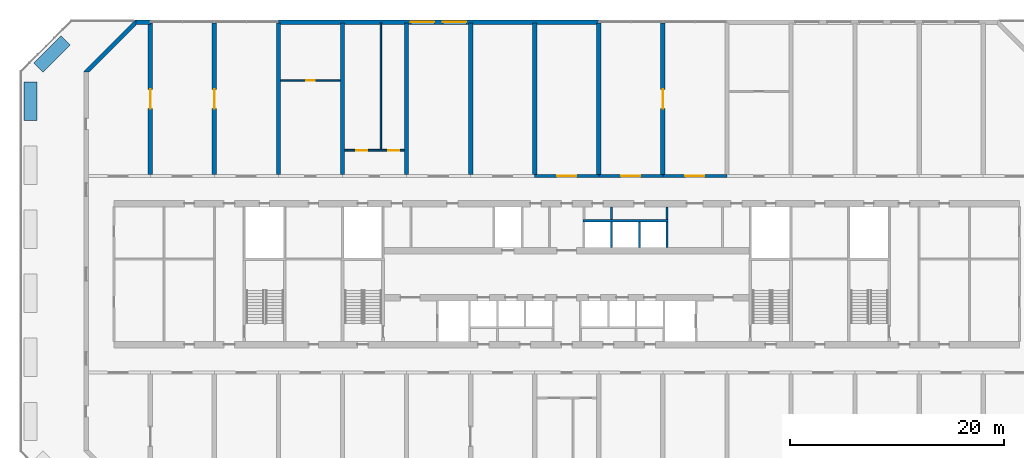
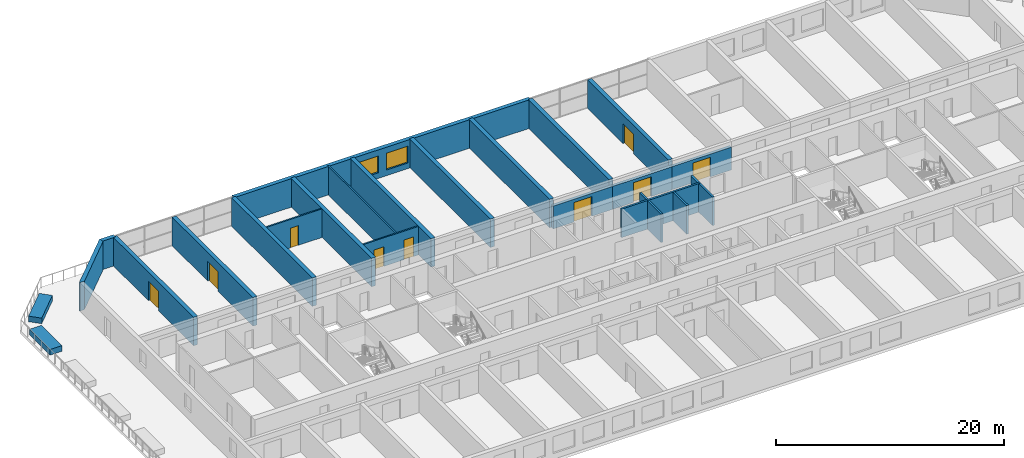
# One storey, part 14 of 21: 26 walls, 9 doors, 2 windows, 11 openings.
"""IFC4 building model written with IfcOpenShell, lengths in metres."""

from ifc_helpers import new_model, si_unit, direction, frame, frame_2d, origin, place, context, subcontext, project, spatial, polyline, rectangle, outline, extrude, source, transform, mapped, material, layer, layer_set, type_object, element, fill, save


model = new_model("IFC4")

# Units and contexts
model_context = context("Model", 3, precision=1e-05, world=origin(), true_north=direction((0.0, 1.0)))
body_context = subcontext(model_context, "Body", "Model", "MODEL_VIEW")
ifc_project = project(units=[si_unit("LENGTHUNIT", "METRE"), si_unit("AREAUNIT", "SQUARE_METRE"), si_unit("VOLUMEUNIT", "CUBIC_METRE"), si_unit("PLANEANGLEUNIT", "RADIAN"), si_unit("MASSUNIT", "GRAM", prefix="KILO")], contexts=[model_context])

# Site, building, storey
site_placement = place(None, origin())
site = spatial("IfcSite", under=ifc_project, at=site_placement, CompositionType="ELEMENT")
building_placement = place(site_placement, origin())
building = spatial("IfcBuilding", under=site, at=building_placement, Name="Poui Terraces", CompositionType="ELEMENT")
storey_placement = place(building_placement, frame((0.0, 0.0, 53.10009765625)))
storey = spatial("IfcBuildingStorey", under=building, at=storey_placement, Name="L14", CompositionType="ELEMENT", Elevation=53.10009765625)

# Wall, openings, doors
ifc_material_1 = material(Name="Fire-rated plasterboard wall")
ifc_layer_1 = layer(ifc_material_1, 0.14990234375)
ifc_layer_set_1 = layer_set([ifc_layer_1], Name="Fire-rated plasterboard wall")
wall_type_1 = type_object("IfcWallType", Name="CORRIDOR WALL 150", PredefinedType="PARTITIONING", material=ifc_layer_set_1)
wall_1_placement = place(storey_placement, frame((30.2099609375, 32.800048828125, 0.0), z_axis=(0.0, 0.0, 1.0), x_axis=(1.0, 0.0, 0.0)))
wall_1 = element("IfcWall", 1, at=wall_1_placement, inside=storey, type_object=wall_type_1, Name="CORRIDOR WALL 150", PredefinedType="PARTITIONING", context=body_context, shape_type="SweptSolid", body=[
    extrude(rectangle(XDim=5.580078125, YDim=0.14990234375, at=frame_2d((2.7900390625, 0.0))), origin(), (0.0, 0.0, 1.0), 3.0498046875),
])
opening_1_placement = place(wall_1_placement, frame((1.090087890625, 0.0, 0.0)))
opening_1 = element("IfcOpeningElement", 2, at=opening_1_placement, cuts=wall_1, Name="Opening D100", PredefinedType="OPENING", context=body_context, shape_type="SweptSolid", body=[
    extrude(rectangle(XDim=1.0, YDim=2.10009765625, at=frame_2d((0.5, 1.050048828125))), frame((0.0, 0.0849609375, 0.0), z_axis=(0.0, -1.0, 0.0), x_axis=(1.0, 0.0, 0.0)), (0.0, 0.0, 1.0), 0.169921875),
])
opening_2_placement = place(wall_1_placement, frame((4.090087890625, 0.0, 0.0)))
opening_2 = element("IfcOpeningElement", 3, at=opening_2_placement, cuts=wall_1, Name="Opening D100", PredefinedType="OPENING", context=body_context, shape_type="SweptSolid", body=[
    extrude(rectangle(XDim=1.0, YDim=2.10009765625, at=frame_2d((0.5, 1.050048828125))), frame((0.0, 0.0849609375, 0.0), z_axis=(0.0, -1.0, 0.0), x_axis=(1.0, 0.0, 0.0)), (0.0, 0.0, 1.0), 0.169921875),
])
ifc_material_2 = material(Name="Solid core timber door", Category="wood")
door_type_1 = type_object("IfcDoorType", Name="ACCESSIBLE INTERNAL DOOR 1000 X 2100", OperationType="NOTDEFINED", PredefinedType="DOOR", material=ifc_material_2)
door_1_placement = place(opening_1_placement, frame((1.0, 0.0, 0.0), z_axis=(0.0, 0.0, 1.0), x_axis=(-1.0, 0.0, 0.0)))
door_1 = element("IfcDoor", 4, at=door_1_placement, inside=storey, type_object=door_type_1, Name="ACCESSIBLE INTERNAL DOOR 070", OperationType="SINGLE_SWING_LEFT", OverallHeight=2.10009765625, OverallWidth=1.0, PredefinedType="DOOR", context=body_context, shape_type="SweptSolid", body=[
    extrude(rectangle(XDim=1.0, YDim=2.10009765625, at=frame_2d((0.5, 1.050048828125))), frame((0.0, 0.02490234375, 0.0), z_axis=(0.0, -1.0, 0.0), x_axis=(1.0, 0.0, 0.0)), (0.0, 0.0, 1.0), 0.050048828125),
])
fill(opening_1, door_1)
door_2_placement = place(opening_2_placement, frame((1.0, 0.0, 0.0), z_axis=(0.0, 0.0, 1.0), x_axis=(-1.0, 0.0, 0.0)))
door_2 = element("IfcDoor", 5, at=door_2_placement, inside=storey, type_object=door_type_1, Name="ACCESSIBLE INTERNAL DOOR 071", OperationType="SINGLE_SWING_RIGHT", OverallHeight=2.10009765625, OverallWidth=1.0, PredefinedType="DOOR", context=body_context, shape_type="SweptSolid", body=[
    extrude(rectangle(XDim=1.0, YDim=2.10009765625, at=frame_2d((0.5, 1.050048828125))), frame((0.0, 0.02490234375, 0.0), z_axis=(0.0, -1.0, 0.0), x_axis=(1.0, 0.0, 0.0)), (0.0, 0.0, 1.0), 0.050048828125),
])
fill(opening_2, door_2)

# Wall, opening, door
ifc_material_3 = material(Name="Concrete 80 MPa", Category="concrete")
ifc_layer_2 = layer(ifc_material_3, 0.300048828125)
ifc_layer_set_2 = layer_set([ifc_layer_2], Name="Concrete 80 MPa")
wall_type_2 = type_object("IfcWallType", Name="CORRIDOR WALL 300 80MPa", PredefinedType="SHEAR", material=ifc_layer_set_2)
wall_2_placement = place(storey_placement, frame((48.0, 30.39990234375, 0.0), z_axis=(0.0, 0.0, 1.0), x_axis=(1.0, 0.0, 0.0)))
wall_2 = element("IfcWall", 6, at=wall_2_placement, inside=storey, type_object=wall_type_2, Name="CORRIDOR WALL LINE E BAY 8", PredefinedType="SHEAR", context=body_context, shape_type="SweptSolid", body=[
    extrude(rectangle(XDim=6.0, YDim=0.300048828125, at=frame_2d((3.0, 0.0))), origin(), (0.0, 0.0, 1.0), 2.449951171875),
])
opening_3_placement = place(wall_2_placement, frame((2.10009765625, 0.0, 0.0)))
opening_3 = element("IfcOpeningElement", 7, at=opening_3_placement, cuts=wall_2, Name="Opening DD180", PredefinedType="OPENING", context=body_context, shape_type="SweptSolid", body=[
    extrude(rectangle(XDim=1.800048828125, YDim=2.10009765625, at=frame_2d((0.89990234375, 1.050048828125))), frame((0.0, 0.16015625, 0.0), z_axis=(0.0, -1.0, 0.0), x_axis=(1.0, 0.0, 0.0)), (0.0, 0.0, 1.0), 0.320068359375),
])
ifc_material_4 = material(Name="Steel fire door", Category="steel")
door_type_2 = type_object("IfcDoorType", Name="DOUBLE INTERNAL DOOR 1800 X 2100", OperationType="DOUBLE_DOOR_SINGLE_SWING", PredefinedType="DOOR", material=ifc_material_4)
door_3_placement = place(opening_3_placement, frame((1.800048828125, 0.0, 0.0), z_axis=(0.0, 0.0, 1.0), x_axis=(-1.0, 0.0, 0.0)))
door_3 = element("IfcDoor", 8, at=door_3_placement, inside=storey, type_object=door_type_2, Name="DOUBLE INTERNAL DOOR 019", OperationType="DOUBLE_DOOR_SINGLE_SWING", OverallHeight=2.10009765625, OverallWidth=1.800048828125, PredefinedType="DOOR", context=body_context, shape_type="SweptSolid", body=[
    extrude(rectangle(XDim=1.800048828125, YDim=2.10009765625, at=frame_2d((0.89990234375, 1.050048828125))), frame((0.0, 0.02490234375, 0.0), z_axis=(0.0, -1.0, 0.0), x_axis=(1.0, 0.0, 0.0)), (0.0, 0.0, 1.0), 0.050048828125),
])
fill(opening_3, door_3)

wall_3_placement = place(storey_placement, frame((54.0, 30.39990234375, 0.0), z_axis=(0.0, 0.0, 1.0), x_axis=(1.0, 0.0, 0.0)))
wall_3 = element("IfcWall", 9, at=wall_3_placement, inside=storey, type_object=wall_type_2, Name="CORRIDOR WALL LINE E BAY 9", PredefinedType="SHEAR", context=body_context, shape_type="SweptSolid", body=[
    extrude(rectangle(XDim=6.0, YDim=0.300048828125, at=frame_2d((3.0, 0.0))), origin(), (0.0, 0.0, 1.0), 2.449951171875),
])
opening_4_placement = place(wall_3_placement, frame((2.10009765625, 0.0, 0.0)))
opening_4 = element("IfcOpeningElement", 10, at=opening_4_placement, cuts=wall_3, Name="Opening DD180", PredefinedType="OPENING", context=body_context, shape_type="SweptSolid", body=[
    extrude(rectangle(XDim=1.800048828125, YDim=2.10009765625, at=frame_2d((0.89990234375, 1.050048828125))), frame((0.0, 0.16015625, 0.0), z_axis=(0.0, -1.0, 0.0), x_axis=(1.0, 0.0, 0.0)), (0.0, 0.0, 1.0), 0.320068359375),
])
door_4_placement = place(opening_4_placement, frame((1.800048828125, 0.0, 0.0), z_axis=(0.0, 0.0, 1.0), x_axis=(-1.0, 0.0, 0.0)))
door_4 = element("IfcDoor", 11, at=door_4_placement, inside=storey, type_object=door_type_2, Name="DOUBLE INTERNAL DOOR 021", OperationType="DOUBLE_DOOR_SINGLE_SWING", OverallHeight=2.10009765625, OverallWidth=1.800048828125, PredefinedType="DOOR", context=body_context, shape_type="SweptSolid", body=[
    extrude(rectangle(XDim=1.800048828125, YDim=2.10009765625, at=frame_2d((0.89990234375, 1.050048828125))), frame((0.0, 0.02490234375, 0.0), z_axis=(0.0, -1.0, 0.0), x_axis=(1.0, 0.0, 0.0)), (0.0, 0.0, 1.0), 0.050048828125),
])
fill(opening_4, door_4)

wall_4_placement = place(storey_placement, frame((60.0, 30.39990234375, 0.0), z_axis=(0.0, 0.0, 1.0), x_axis=(1.0, 0.0, 0.0)))
wall_4 = element("IfcWall", 12, at=wall_4_placement, inside=storey, type_object=wall_type_2, Name="CORRIDOR WALL LINE E BAY 10", PredefinedType="SHEAR", context=body_context, shape_type="SweptSolid", body=[
    extrude(rectangle(XDim=6.0, YDim=0.300048828125, at=frame_2d((3.0, 0.0))), origin(), (0.0, 0.0, 1.0), 2.449951171875),
])
opening_5_placement = place(wall_4_placement, frame((2.10009765625, 0.0, 0.0)))
opening_5 = element("IfcOpeningElement", 13, at=opening_5_placement, cuts=wall_4, Name="Opening DD180", PredefinedType="OPENING", context=body_context, shape_type="SweptSolid", body=[
    extrude(rectangle(XDim=1.800048828125, YDim=2.10009765625, at=frame_2d((0.89990234375, 1.050048828125))), frame((0.0, 0.16015625, 0.0), z_axis=(0.0, -1.0, 0.0), x_axis=(1.0, 0.0, 0.0)), (0.0, 0.0, 1.0), 0.320068359375),
])
door_5_placement = place(opening_5_placement, frame((1.800048828125, 0.0, 0.0), z_axis=(0.0, 0.0, 1.0), x_axis=(-1.0, 0.0, 0.0)))
door_5 = element("IfcDoor", 14, at=door_5_placement, inside=storey, type_object=door_type_2, Name="DOUBLE INTERNAL DOOR 024", OperationType="DOUBLE_DOOR_SINGLE_SWING", OverallHeight=2.10009765625, OverallWidth=1.800048828125, PredefinedType="DOOR", context=body_context, shape_type="SweptSolid", body=[
    extrude(rectangle(XDim=1.800048828125, YDim=2.10009765625, at=frame_2d((0.89990234375, 1.050048828125))), frame((0.0, 0.02490234375, 0.0), z_axis=(0.0, -1.0, 0.0), x_axis=(1.0, 0.0, 0.0)), (0.0, 0.0, 1.0), 0.050048828125),
])
fill(opening_5, door_5)

ifc_layer_3 = layer(ifc_material_3, 0.39990234375)
ifc_layer_set_3 = layer_set([ifc_layer_3], Name="Concrete 80 MPa")
wall_type_3 = type_object("IfcWallType", Name="CROSS WALL 400 80MPa", PredefinedType="SHEAR", material=ifc_layer_set_3)
wall_5_placement = place(storey_placement, frame((12.0, 30.550048828125, 0.0), z_axis=(0.0, 0.0, 1.0), x_axis=(0.0, 1.0, 0.0)))
wall_5 = element("IfcWall", 15, at=wall_5_placement, inside=storey, type_object=wall_type_3, Name="CROSS WALL LINE 3 NORTH", PredefinedType="SHEAR", context=body_context, shape_type="SweptSolid", body=[
    extrude(rectangle(XDim=14.175048828125, YDim=0.39990234375, at=frame_2d((7.08740234375, 0.0))), origin(), (0.0, 0.0, 1.0), 3.0498046875),
])
opening_6_placement = place(wall_5_placement, frame((6.14990234375, 0.0, 0.0)))
opening_6 = element("IfcOpeningElement", 16, at=opening_6_placement, cuts=wall_5, Name="Opening DD180", PredefinedType="OPENING", context=body_context, shape_type="SweptSolid", body=[
    extrude(rectangle(XDim=1.800048828125, YDim=2.10009765625, at=frame_2d((0.89990234375, 1.050048828125))), frame((0.0, 0.2099609375, 0.0), z_axis=(0.0, -1.0, 0.0), x_axis=(1.0, 0.0, 0.0)), (0.0, 0.0, 1.0), 0.419921875),
])
door_6_placement = place(opening_6_placement, origin())
door_6 = element("IfcDoor", 17, at=door_6_placement, inside=storey, type_object=door_type_2, Name="DOUBLE INTERNAL DOOR 067", OperationType="DOUBLE_DOOR_SINGLE_SWING", OverallHeight=2.10009765625, OverallWidth=1.800048828125, PredefinedType="DOOR", context=body_context, shape_type="SweptSolid", body=[
    extrude(rectangle(XDim=1.800048828125, YDim=2.10009765625, at=frame_2d((0.89990234375, 1.050048828125))), frame((0.0, 0.02490234375, 0.0), z_axis=(0.0, -1.0, 0.0), x_axis=(1.0, 0.0, 0.0)), (0.0, 0.0, 1.0), 0.050048828125),
])
fill(opening_6, door_6)

wall_6_placement = place(storey_placement, frame((18.0, 30.550048828125, 0.0), z_axis=(0.0, 0.0, 1.0), x_axis=(0.0, 1.0, 0.0)))
wall_6 = element("IfcWall", 18, at=wall_6_placement, inside=storey, type_object=wall_type_3, Name="CROSS WALL LINE 4 NORTH", PredefinedType="SHEAR", context=body_context, shape_type="SweptSolid", body=[
    extrude(rectangle(XDim=14.175048828125, YDim=0.39990234375, at=frame_2d((7.08740234375, 0.0))), origin(), (0.0, 0.0, 1.0), 3.0498046875),
])
opening_7_placement = place(wall_6_placement, frame((6.14990234375, 0.0, 0.0)))
opening_7 = element("IfcOpeningElement", 19, at=opening_7_placement, cuts=wall_6, Name="Opening DD180", PredefinedType="OPENING", context=body_context, shape_type="SweptSolid", body=[
    extrude(rectangle(XDim=1.800048828125, YDim=2.10009765625, at=frame_2d((0.89990234375, 1.050048828125))), frame((0.0, 0.2099609375, 0.0), z_axis=(0.0, -1.0, 0.0), x_axis=(1.0, 0.0, 0.0)), (0.0, 0.0, 1.0), 0.419921875),
])
door_7_placement = place(opening_7_placement, origin())
door_7 = element("IfcDoor", 20, at=door_7_placement, inside=storey, type_object=door_type_2, Name="DOUBLE INTERNAL DOOR 068", OperationType="DOUBLE_DOOR_SINGLE_SWING", OverallHeight=2.10009765625, OverallWidth=1.800048828125, PredefinedType="DOOR", context=body_context, shape_type="SweptSolid", body=[
    extrude(rectangle(XDim=1.800048828125, YDim=2.10009765625, at=frame_2d((0.89990234375, 1.050048828125))), frame((0.0, 0.02490234375, 0.0), z_axis=(0.0, -1.0, 0.0), x_axis=(1.0, 0.0, 0.0)), (0.0, 0.0, 1.0), 0.050048828125),
])
fill(opening_7, door_7)

# Walls
for number, where, z_axis, x_axis, name in (
    (21, (24.0, 30.550048828125, 0.0), (0.0, 0.0, 1.0), (0.0, 1.0, 0.0), "CROSS WALL LINE 5 NORTH"),
    (22, (30.0, 30.550048828125, 0.0), (0.0, 0.0, 1.0), (0.0, 1.0, 0.0), "CROSS WALL LINE 6 NORTH"),
    (23, (36.0, 30.550048828125, 0.0), (0.0, 0.0, 1.0), (0.0, 1.0, 0.0), "CROSS WALL LINE 7 NORTH"),
    (24, (42.0, 30.550048828125, 0.0), (0.0, 0.0, 1.0), (0.0, 1.0, 0.0), "CROSS WALL LINE 8 NORTH"),
    (25, (48.0, 30.550048828125, 0.0), (0.0, 0.0, 1.0), (0.0, 1.0, 0.0), "CROSS WALL LINE 9 NORTH"),
    (26, (54.0, 30.550048828125, 0.0), (0.0, 0.0, 1.0), (0.0, 1.0, 0.0), "CROSS WALL LINE 10 NORTH"),
):
    element("IfcWall", number, at=place(storey_placement, frame(where, z_axis=z_axis, x_axis=x_axis)), inside=storey, type_object=wall_type_3, Name=name, PredefinedType="SHEAR", context=body_context, shape_type="SweptSolid", body=[
        extrude(rectangle(XDim=14.175048828125, YDim=0.39990234375, at=frame_2d((7.08740234375, 0.0))), origin(), (0.0, 0.0, 1.0), 3.0498046875),
    ])

# Wall, opening, door
wall_7_placement = place(storey_placement, frame((60.0, 30.550048828125, 0.0), z_axis=(0.0, 0.0, 1.0), x_axis=(0.0, 1.0, 0.0)))
wall_7 = element("IfcWall", 27, at=wall_7_placement, inside=storey, type_object=wall_type_3, Name="CROSS WALL LINE 11 NORTH", PredefinedType="SHEAR", context=body_context, shape_type="SweptSolid", body=[
    extrude(rectangle(XDim=14.175048828125, YDim=0.39990234375, at=frame_2d((7.08740234375, 0.0))), origin(), (0.0, 0.0, 1.0), 3.0498046875),
])
opening_8_placement = place(wall_7_placement, frame((6.14990234375, 0.0, 0.0)))
opening_8 = element("IfcOpeningElement", 28, at=opening_8_placement, cuts=wall_7, Name="Opening DD180", PredefinedType="OPENING", context=body_context, shape_type="SweptSolid", body=[
    extrude(rectangle(XDim=1.800048828125, YDim=2.10009765625, at=frame_2d((0.89990234375, 1.050048828125))), frame((0.0, 0.2099609375, 0.0), z_axis=(0.0, -1.0, 0.0), x_axis=(1.0, 0.0, 0.0)), (0.0, 0.0, 1.0), 0.419921875),
])
door_8_placement = place(opening_8_placement, origin())
door_8 = element("IfcDoor", 29, at=door_8_placement, inside=storey, type_object=door_type_2, Name="DOUBLE INTERNAL DOOR 072", OperationType="DOUBLE_DOOR_SINGLE_SWING", OverallHeight=2.10009765625, OverallWidth=1.800048828125, PredefinedType="DOOR", context=body_context, shape_type="SweptSolid", body=[
    extrude(rectangle(XDim=1.800048828125, YDim=2.10009765625, at=frame_2d((0.89990234375, 1.050048828125))), frame((0.0, 0.02490234375, 0.0), z_axis=(0.0, -1.0, 0.0), x_axis=(1.0, 0.0, 0.0)), (0.0, 0.0, 1.0), 0.050048828125),
])
fill(opening_8, door_8)

# Wall, openings, windows
ifc_material_5 = material(Name="Precast concrete 40 MPa", Category="concrete")
ifc_layer_4 = layer(ifc_material_5, 0.39990234375)
ifc_layer_set_4 = layer_set([ifc_layer_4], Name="Precast concrete 40 MPa")
wall_type_4 = type_object("IfcWallType", Name="EXTERNAL WALL 400", PredefinedType="STANDARD", material=ifc_layer_set_4)
wall_8_placement = place(storey_placement, frame((54.0, 44.800048828125, 0.0), z_axis=(0.0, 0.0, 1.0), x_axis=(-1.0, 0.0, 0.0)))
wall_8 = element("IfcWall", 30, at=wall_8_placement, inside=storey, type_object=wall_type_4, Name="EXTERNAL WALL N", PredefinedType="STANDARD", context=body_context, shape_type="SweptSolid", body=[
    extrude(rectangle(XDim=30.0, YDim=0.39990234375, at=frame_2d((15.0, 0.0))), origin(), (0.0, 0.0, 1.0), 3.0498046875),
])
opening_9_placement = place(wall_8_placement, frame((15.39990234375, 0.0, 0.60009765625)))
opening_9 = element("IfcOpeningElement", 31, at=opening_9_placement, cuts=wall_8, Name="Opening W3", PredefinedType="OPENING", context=body_context, shape_type="SweptSolid", body=[
    extrude(rectangle(XDim=2.199951171875, YDim=1.800048828125, at=frame_2d((1.10009765625, 0.89990234375))), frame((0.0, 0.2099609375, 0.0), z_axis=(0.0, -1.0, 0.0), x_axis=(1.0, 0.0, 0.0)), (0.0, 0.0, 1.0), 0.419921875),
])
opening_10_placement = place(wall_8_placement, frame((12.39990234375, 0.0, 0.60009765625)))
opening_10 = element("IfcOpeningElement", 32, at=opening_10_placement, cuts=wall_8, Name="Opening W3", PredefinedType="OPENING", context=body_context, shape_type="SweptSolid", body=[
    extrude(rectangle(XDim=2.199951171875, YDim=1.800048828125, at=frame_2d((1.10009765625, 0.89990234375))), frame((0.0, 0.2099609375, 0.0), z_axis=(0.0, -1.0, 0.0), x_axis=(1.0, 0.0, 0.0)), (0.0, 0.0, 1.0), 0.419921875),
])
ifc_material_6 = material(Name="Clear glass in aluminium frame", Category="aluminium")
window_type = type_object("IfcWindowType", Name="WINDOW 2200X1800", PartitioningType="DOUBLE_PANEL_HORIZONTAL", PredefinedType="WINDOW", material=ifc_material_6)
window_1_placement = place(opening_9_placement, origin())
window_1 = element("IfcWindow", 33, at=window_1_placement, inside=storey, type_object=window_type, Name="W3 WINDOW", OverallHeight=1.800048828125, OverallWidth=2.199951171875, PartitioningType="DOUBLE_PANEL_HORIZONTAL", PredefinedType="WINDOW", context=body_context, shape_type="SweptSolid", body=[
    extrude(rectangle(XDim=2.199951171875, YDim=1.800048828125, at=frame_2d((1.10009765625, 0.89990234375))), frame((0.0, 0.030029296875, 0.0), z_axis=(0.0, -1.0, 0.0), x_axis=(1.0, 0.0, 0.0)), (0.0, 0.0, 1.0), 0.06005859375),
])
fill(opening_9, window_1)
window_2_placement = place(opening_10_placement, origin())
window_2 = element("IfcWindow", 34, at=window_2_placement, inside=storey, type_object=window_type, Name="W3 WINDOW", OverallHeight=1.800048828125, OverallWidth=2.199951171875, PartitioningType="DOUBLE_PANEL_HORIZONTAL", PredefinedType="WINDOW", context=body_context, shape_type="SweptSolid", body=[
    extrude(rectangle(XDim=2.199951171875, YDim=1.800048828125, at=frame_2d((1.10009765625, 0.89990234375))), frame((0.0, 0.030029296875, 0.0), z_axis=(0.0, -1.0, 0.0), x_axis=(1.0, 0.0, 0.0)), (0.0, 0.0, 1.0), 0.06005859375),
])
fill(opening_10, window_2)

# Wall
wall_9_placement = place(storey_placement, frame((12.0, 44.800048828125, 0.0), z_axis=(0.0, 0.0, 1.0), x_axis=(-1.0, 0.0, 0.0)))
element("IfcWall", 35, at=wall_9_placement, inside=storey, type_object=wall_type_4, Name="EXTERNAL WALL N", PredefinedType="STANDARD", context=body_context, shape_type="SweptSolid", body=[
    extrude(rectangle(XDim=1.317138671875, YDim=0.39990234375, at=frame_2d((0.65869140625, 0.0))), origin(), (0.0, 0.0, 1.0), 3.0498046875),
])

# Wall, opening, door
ifc_material_7 = material(Name="Plasterboard partition")
ifc_layer_5 = layer(ifc_material_7, 0.14990234375)
ifc_layer_set_5 = layer_set([ifc_layer_5], Name="Plasterboard partition")
wall_type_5 = type_object("IfcWallType", Name="PARTITION WALL 150", PredefinedType="PARTITIONING", material=ifc_layer_set_5)
wall_10_placement = place(storey_placement, frame((24.2099609375, 39.327880859375, 0.0), z_axis=(0.0, 0.0, 1.0), x_axis=(1.0, 0.0, 0.0)))
wall_10 = element("IfcWall", 36, at=wall_10_placement, inside=storey, type_object=wall_type_5, Name="PARTITION WALL 150", PredefinedType="PARTITIONING", context=body_context, shape_type="SweptSolid", body=[
    extrude(rectangle(XDim=5.580078125, YDim=0.14990234375, at=frame_2d((2.7900390625, 0.0))), origin(), (0.0, 0.0, 1.0), 3.0498046875),
])
opening_11_placement = place(wall_10_placement, frame((2.389892578125, 0.0, 0.0)))
opening_11 = element("IfcOpeningElement", 37, at=opening_11_placement, cuts=wall_10, Name="Opening D80", PredefinedType="OPENING", context=body_context, shape_type="SweptSolid", body=[
    extrude(rectangle(XDim=0.800048828125, YDim=2.10009765625, at=frame_2d((0.39990234375, 1.050048828125))), frame((0.0, 0.0849609375, 0.0), z_axis=(0.0, -1.0, 0.0), x_axis=(1.0, 0.0, 0.0)), (0.0, 0.0, 1.0), 0.169921875),
])
door_type_3 = type_object("IfcDoorType", Name="BATHROOM, LAUNDRY AND STORE DOOR 800 X 2100", OperationType="NOTDEFINED", PredefinedType="DOOR", material=ifc_material_2)
door_9_placement = place(opening_11_placement, frame((0.800048828125, 0.0, 0.0), z_axis=(0.0, 0.0, 1.0), x_axis=(-1.0, 0.0, 0.0)))
door_9 = element("IfcDoor", 38, at=door_9_placement, inside=storey, type_object=door_type_3, Name="BATHROOM, LAUNDRY AND STORE DOOR 069", OperationType="SINGLE_SWING_RIGHT", OverallHeight=2.10009765625, OverallWidth=0.800048828125, PredefinedType="DOOR", context=body_context, shape_type="SweptSolid", body=[
    extrude(rectangle(XDim=0.800048828125, YDim=2.10009765625, at=frame_2d((0.39990234375, 1.050048828125))), frame((0.0, 0.02490234375, 0.0), z_axis=(0.0, -1.0, 0.0), x_axis=(1.0, 0.0, 0.0)), (0.0, 0.0, 1.0), 0.050048828125),
])
fill(opening_11, door_9)

# Walls
wall_11_placement = place(storey_placement, frame((33.60009765625, 32.875, 0.0), z_axis=(0.0, 0.0, 1.0), x_axis=(0.0, 1.0, 0.0)))
element("IfcWall", 39, at=wall_11_placement, inside=storey, type_object=wall_type_5, Name="PARTITION WALL 150", PredefinedType="PARTITIONING", context=body_context, shape_type="SweptSolid", body=[
    extrude(rectangle(XDim=11.864990234375, YDim=0.14990234375, at=frame_2d((5.9326171875, 0.0))), origin(), (0.0, 0.0, 1.0), 3.0498046875),
])
ifc_material_8 = material(Name="Fire-rated masonry wall", Category="masonry")
ifc_layer_6 = layer(ifc_material_8, 0.199951171875)
ifc_layer_set_6 = layer_set([ifc_layer_6], Name="Fire-rated masonry wall")
wall_type_6 = type_object("IfcWallType", Name="PLANT ROOM WALL 200", PredefinedType="PARTITIONING", material=ifc_layer_set_6)
for number, where, z_axis, x_axis, name in (
    (40, (55.199951171875, 26.300048828125, 0.0), (0.0, 0.0, 1.0), (0.0, 1.0, 0.0), "PLANT ROOM WALL 200"),
    (41, (60.39990234375, 26.300048828125, 0.0), (0.0, 0.0, 1.0), (0.0, 1.0, 0.0), "PLANT ROOM WALL 200"),
):
    element("IfcWall", number, at=place(storey_placement, frame(where, z_axis=z_axis, x_axis=x_axis)), inside=storey, type_object=wall_type_6, Name=name, PredefinedType="PARTITIONING", context=body_context, shape_type="SweptSolid", body=[
        extrude(rectangle(XDim=1.18994140625, YDim=0.199951171875, at=frame_2d((0.594970703125, 0.0))), origin(), (0.0, 0.0, 1.0), 3.0498046875),
    ])
ifc_material_9 = material(Name="Fire-rated masonry shaft wall", Category="masonry")
ifc_layer_7 = layer(ifc_material_9, 0.199951171875)
ifc_layer_set_7 = layer_set([ifc_layer_7], Name="Fire-rated masonry shaft wall")
wall_type_7 = type_object("IfcWallType", Name="SHAFT WALL 200", PredefinedType="PARTITIONING", material=ifc_layer_set_7)
wall_12_placement = place(storey_placement, frame((52.5, 26.199951171875, 0.0), z_axis=(0.0, 0.0, 1.0), x_axis=(1.0, 0.0, 0.0)))
element("IfcWall", 42, at=wall_12_placement, inside=storey, type_object=wall_type_7, Name="SHAFT WALL 200", PredefinedType="PARTITIONING", context=body_context, shape_type="SweptSolid", body=[
    extrude(rectangle(XDim=8.0, YDim=0.199951171875, at=frame_2d((4.0, 0.0))), origin(), (0.0, 0.0, 1.0), 3.0498046875),
])
for number, where, z_axis, x_axis, name in (
    (43, (55.199951171875, 23.7099609375, 0.0), (0.0, 0.0, 1.0), (0.0, 1.0, 0.0), "SHAFT WALL 200"),
    (44, (57.800048828125, 23.7099609375, 0.0), (0.0, 0.0, 1.0), (0.0, 1.0, 0.0), "SHAFT WALL 200"),
    (45, (60.39990234375, 23.7099609375, 0.0), (0.0, 0.0, 1.0), (0.0, 1.0, 0.0), "SHAFT WALL 200"),
):
    element("IfcWall", number, at=place(storey_placement, frame(where, z_axis=z_axis, x_axis=x_axis)), inside=storey, type_object=wall_type_7, Name=name, PredefinedType="PARTITIONING", context=body_context, shape_type="SweptSolid", body=[
        extrude(rectangle(XDim=2.39013671875, YDim=0.199951171875, at=frame_2d((1.195068359375, 0.0))), origin(), (0.0, 0.0, 1.0), 3.0498046875),
    ])
ifc_layer_8 = layer(ifc_material_5, 0.39990234375)
ifc_layer_set_8 = layer_set([ifc_layer_8], Name="Precast concrete 40 MPa")
wall_type_8 = type_object("IfcWallType", Name="TERRACOTTA CLAD CHAMFER WALL 400", PredefinedType="STANDARD", material=ifc_layer_set_8)
wall_13_placement = place(storey_placement, origin())
element("IfcWall", 46, at=wall_13_placement, inside=storey, type_object=wall_type_8, Name="CHAMFER WALL CH05", PredefinedType="STANDARD", context=body_context, shape_type="SweptSolid", body=[
    extrude(outline(polyline([(10.682861328125, 45.0), (10.60009765625, 45.0), (5.800048828125, 40.199951171875), (5.800048828125, 40.1171875), (6.28271484375, 40.1171875), (10.682861328125, 44.51708984375), (10.682861328125, 45.0)])), origin(), (0.0, 0.0, 1.0), 3.0498046875),
])
ifc_layer_9 = layer(ifc_material_5, 1.199951171875)
ifc_layer_set_9 = layer_set([ifc_layer_9], Name="Precast concrete 40 MPa")
wall_type_9 = type_object("IfcWallType", Name="PLANTER 600", PredefinedType="USERDEFINED", material=ifc_layer_set_9)
shared_shape_1 = source(origin(), body_context, "Body", "SweptSolid", [
    extrude(outline(polyline([(0.0, 0.0), (1.199951171875, 0.0), (1.199951171875, 3.599853515625), (0.0, 3.599853515625), (0.0, 0.0)])), origin(), (0.0, 0.0, 1.0), 0.599853515625),
])
wall_14_placement = place(storey_placement, frame((0.179931640625, 35.60009765625, 0.0)))
element("IfcWall", 47, at=wall_14_placement, inside=storey, type_object=wall_type_9, Name="PLANTER", ObjectType="PLANTER", PredefinedType="USERDEFINED", context=body_context, shape_type="MappedRepresentation", body=[
    mapped(shared_shape_1, transform((0.0, 0.0, 0.0))),
])
shared_shape_2 = source(origin(), body_context, "Body", "SweptSolid", [
    extrude(outline(polyline([(0.0, 0.0), (0.8486328125, -0.848388671875), (3.39404296875, 1.697265625), (2.545654296875, 2.545654296875), (0.0, 0.0)])), origin(), (0.0, 0.0, 1.0), 0.599853515625),
])
wall_15_placement = place(storey_placement, frame((1.10546875, 40.968017578125, 0.0)))
element("IfcWall", 48, at=wall_15_placement, inside=storey, type_object=wall_type_9, Name="PLANTER", ObjectType="PLANTER", PredefinedType="USERDEFINED", context=body_context, shape_type="MappedRepresentation", body=[
    mapped(shared_shape_2, transform((0.0, 0.0, 0.0))),
])

save(model, "model.ifc")
